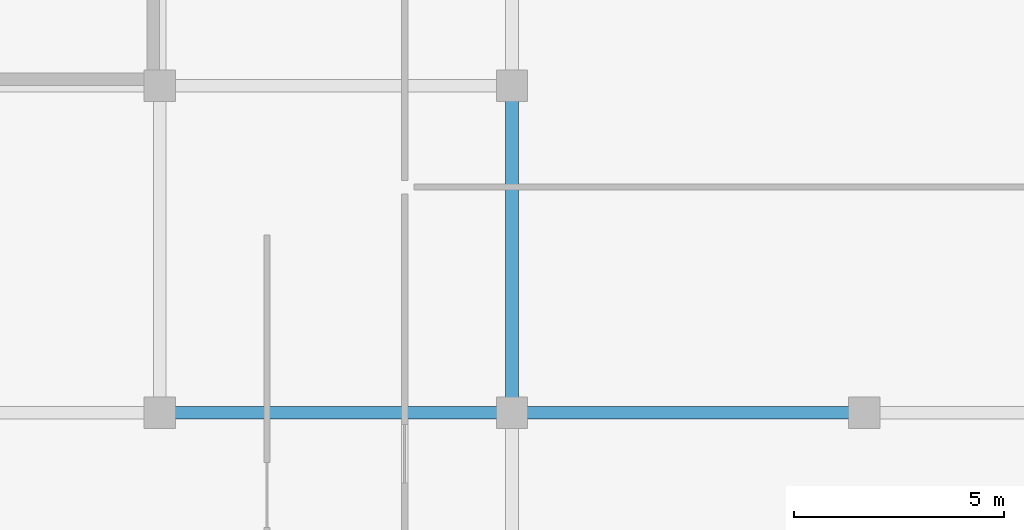
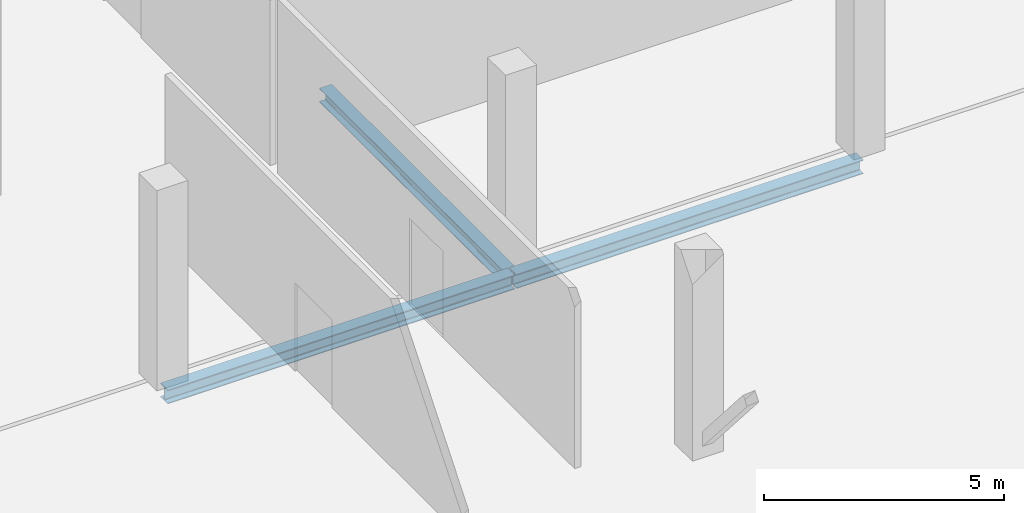
# One storey, part 28 of 80: 3 beams.
"""IFC4 building model written with IfcOpenShell, lengths in metres."""

import ifcopenshell
import ifcopenshell.guid

model = None  # the IFC model being written
_history = None  # IfcOwnerHistory: only IFC2X3 demands one
_inside = {}  # id of a spatial element -> (the spatial element, [elements in it])
_under = {}  # id of a project, library or spatial element -> (it, [spatial elements below it])
_declared = {}  # id of a project -> (the project, [libraries it declares])
_typed = {}  # id of a type object -> (the type object, [elements of that type])
_made_of = {}  # id of a material, layer set ... -> (it, [elements and type objects made of it])


def new_model(schema):
    """Start an empty IFC model of exactly this schema.

    Asked for "IFC4X3", IfcOpenShell would pick the latest addendum, in which some entities
    have other attributes; the version numbers below select the first issue.
    IFC2X3 requires an IfcOwnerHistory on every rooted entity: one is made here for all.
    """
    global model, _history
    if schema == "IFC4X3":
        model = ifcopenshell.file(schema_version=(4, 3, 0, 0))
    else:
        model = ifcopenshell.file(schema=schema)
    _inside.clear()
    _under.clear()
    _declared.clear()
    _typed.clear()
    _made_of.clear()
    _history = None
    if model.schema == "IFC2X3":
        org = make("IfcOrganization", Name="unknown")
        user = make(
            "IfcPersonAndOrganization",
            ThePerson=make("IfcPerson", FamilyName="unknown"),
            TheOrganization=org,
        )
        app = make(
            "IfcApplication",
            ApplicationDeveloper=org,
            Version="unknown",
            ApplicationFullName="unknown",
            ApplicationIdentifier="unknown",
        )
        _history = make(
            "IfcOwnerHistory",
            OwningUser=user,
            OwningApplication=app,
            ChangeAction="ADDED",
            CreationDate=0,
        )
    return model


def make(cls, **values):
    """One entity of the class cls with the attributes given. An attribute that is None is left unset."""
    return model.create_entity(
        cls, **{name: value for name, value in values.items() if value is not None}
    )


def rooted(cls, **values):
    """An entity with a GlobalId (a new one), such as an element, a storey or a relation."""
    return make(cls, GlobalId=ifcopenshell.guid.new(), OwnerHistory=_history, **values)


def si_unit(unit_type, name, prefix=None):
    """IfcSIUnit, for example si_unit("LENGTHUNIT", "METRE", prefix="MILLI")."""
    return make("IfcSIUnit", UnitType=unit_type, Prefix=prefix, Name=name)


def assignment(units):
    """IfcUnitAssignment: the units of a project."""
    return None if units is None else make("IfcUnitAssignment", Units=units)


def point(xyz):
    """IfcCartesianPoint."""
    return None if xyz is None else make("IfcCartesianPoint", Coordinates=xyz)


def direction(xyz):
    """IfcDirection."""
    return None if xyz is None else make("IfcDirection", DirectionRatios=xyz)


def frame(location, z_axis=None, x_axis=None):
    """IfcAxis2Placement3D, a coordinate frame: its origin and axes. An axis left out is left unset."""
    return make(
        "IfcAxis2Placement3D",
        Location=point(location),
        Axis=direction(z_axis),
        RefDirection=direction(x_axis),
    )


def frame_2d(location, x_axis=None):
    """IfcAxis2Placement2D, a coordinate frame in the plane: its origin and x axis."""
    return make(
        "IfcAxis2Placement2D", Location=point(location), RefDirection=direction(x_axis)
    )


def origin():
    """The frame at (0, 0, 0) with its axes left unset."""
    return frame((0.0, 0.0, 0.0))


def origin_2d():
    """The frame at (0, 0) in the plane with its x axis left unset."""
    return frame_2d((0.0, 0.0))


def place(relative_to, where):
    """IfcLocalPlacement: puts the frame where relative to a parent placement (None: the world)."""
    return make(
        "IfcLocalPlacement", PlacementRelTo=relative_to, RelativePlacement=where
    )


def context(
    kind, dimensions, precision=None, world=None, true_north=None, identifier=None
):
    """IfcGeometricRepresentationContext, for example the 3D "Model" context."""
    return make(
        "IfcGeometricRepresentationContext",
        ContextIdentifier=identifier,
        ContextType=kind,
        CoordinateSpaceDimension=dimensions,
        Precision=precision,
        WorldCoordinateSystem=world,
        TrueNorth=true_north,
    )


def subcontext(parent, identifier, kind, view, scale=None):
    """IfcGeometricRepresentationSubContext, for example "Body" below "Model"."""
    return make(
        "IfcGeometricRepresentationSubContext",
        ContextIdentifier=identifier,
        ContextType=kind,
        ParentContext=parent,
        TargetScale=scale,
        TargetView=view,
    )


def project(units=None, contexts=None):
    """IfcProject with its units and contexts."""
    return rooted(
        "IfcProject",
        Name="project",
        RepresentationContexts=contexts,
        UnitsInContext=assignment(units),
    )


def spatial(cls, under=None, at=None, **own):
    """A site, building, storey or space (cls), placed at a placement, below another one or the project."""
    s = rooted(cls, ObjectPlacement=at, **own)
    if under is not None:
        _under.setdefault(under.id(), (under, []))[1].append(s)
    return s


def profile(cls, at=None, kind="AREA", **sizes):
    """A parametric profile (cls). Its sizes go by their IFC names, for example OverallWidth=200.0."""
    return make(cls, ProfileType=kind, Position=at, **sizes)


def i_section(**sizes):
    """IfcIShapeProfileDef."""
    return profile("IfcIShapeProfileDef", **sizes)


def extrude(swept, where, along, depth):
    """IfcExtrudedAreaSolid: the profile swept, set in the frame where, extruded along a direction by depth."""
    return make(
        "IfcExtrudedAreaSolid",
        SweptArea=swept,
        Position=where,
        ExtrudedDirection=direction(along),
        Depth=depth,
    )


def shape(context_of_items, identifier, shape_type, items):
    """IfcShapeRepresentation: the items that make up one representation, for example the "Body"."""
    return make(
        "IfcShapeRepresentation",
        ContextOfItems=context_of_items,
        RepresentationIdentifier=identifier,
        RepresentationType=shape_type,
        Items=items,
    )


def material(Name=None, Category=None):
    """IfcMaterial."""
    return make("IfcMaterial", Name=Name, Category=Category)


def material_profile(
    of_material, cross_section, Name=None, Category=None, Priority=None
):
    """IfcMaterialProfile: a cross section and its material."""
    return make(
        "IfcMaterialProfile",
        Name=Name,
        Material=of_material,
        Profile=cross_section,
        Priority=Priority,
        Category=Category,
    )


def profile_set(profiles, Name=None, composite=None):
    """IfcMaterialProfileSet."""
    return make(
        "IfcMaterialProfileSet",
        Name=Name,
        MaterialProfiles=profiles,
        CompositeProfile=composite,
    )


def made_of(thing, what):
    """Note that an element or type object is made of a material, layer set ...; save() writes the relation."""
    if what is not None:
        _made_of.setdefault(what.id(), (what, []))[1].append(thing)
    return thing


def type_object(cls, material=None, **own):
    """A type object (cls), such as IfcWallType, which elements share."""
    return made_of(rooted(cls, **own), material)


def element(
    cls,
    number,
    at=None,
    inside=None,
    cuts=None,
    type_object=None,
    material=None,
    context=None,
    identifier="Body",
    shape_type=None,
    held_by="IfcProductDefinitionShape",
    body=None,
    shapes=None,
    **own,
):
    """One element of the class cls, such as IfcWall. Its Tag is "e" and its number.

    at: its placement. inside: the storey or other place that contains it. cuts: it is an
    opening in that element (IfcRelVoidsElement). A single representation is given by context,
    identifier, shape_type and body (its items); several are given by shapes. held_by: the class
    of the entity that holds the representations. save() writes the other relations.
    """
    e = rooted(cls, Tag="e%d" % number, ObjectPlacement=at, **own)
    if body is not None:
        shapes = [shape(context, identifier, shape_type, body)]
    if shapes is not None:
        e.Representation = make(held_by, Representations=shapes)
    if inside is not None:
        _inside.setdefault(inside.id(), (inside, []))[1].append(e)
    if cuts is not None:
        rooted(
            "IfcRelVoidsElement", RelatingBuildingElement=cuts, RelatedOpeningElement=e
        )
    if type_object is not None:
        _typed.setdefault(type_object.id(), (type_object, []))[1].append(e)
    return made_of(e, material)


def aggregate(whole, parts):
    """IfcRelAggregates: a whole, such as a stair, and the parts it consists of."""
    return rooted("IfcRelAggregates", RelatingObject=whole, RelatedObjects=parts)


def save(model, path):
    """Write the relations noted so far, then the file.

    IfcRelAggregates (storeys below a building ...), IfcRelContainedInSpatialStructure (elements
    in a storey), IfcRelDefinesByType, IfcRelAssociatesMaterial and IfcRelDeclares: one each for
    every whole, place, type object, material and project.
    """
    for whole, parts in _under.values():
        aggregate(whole, parts)
    for where, things in _inside.values():
        rooted(
            "IfcRelContainedInSpatialStructure",
            RelatedElements=things,
            RelatingStructure=where,
        )
    for kind, things in _typed.values():
        rooted("IfcRelDefinesByType", RelatedObjects=things, RelatingType=kind)
    for what, things in _made_of.values():
        rooted("IfcRelAssociatesMaterial", RelatedObjects=things, RelatingMaterial=what)
    for by, libraries in _declared.values():
        rooted("IfcRelDeclares", RelatingContext=by, RelatedDefinitions=libraries)
    model.write(path)


model = new_model("IFC4")

# Units and contexts
model_context = context("Model", 3, precision=1e-05, world=origin(), true_north=direction((0.0, 1.0)))
body_context = subcontext(model_context, "Body", "Model", "MODEL_VIEW")
ifc_project = project(units=[si_unit("LENGTHUNIT", "METRE"), si_unit("AREAUNIT", "SQUARE_METRE"), si_unit("VOLUMEUNIT", "CUBIC_METRE"), si_unit("PLANEANGLEUNIT", "RADIAN"), si_unit("MASSUNIT", "GRAM", prefix="KILO")], contexts=[model_context])

# Site, building, storey
site_placement = place(None, origin())
site = spatial("IfcSite", under=ifc_project, at=site_placement, CompositionType="ELEMENT")
building_placement = place(site_placement, origin())
building = spatial("IfcBuilding", under=site, at=building_placement, Name="Nabrawat Pavilion Hospital", CompositionType="ELEMENT")
storey_placement = place(building_placement, origin())
storey = spatial("IfcBuildingStorey", under=building, at=storey_placement, Name="L00", CompositionType="ELEMENT", Elevation=0.0)

# Beams
ifc_material = material(Name="Steel S355", Category="steel")
ifc_material_profile_1 = material_profile(ifc_material, i_section(OverallWidth=0.300048828125, OverallDepth=0.360107421875, WebThickness=0.012451171875, FlangeThickness=0.0224609375, FilletRadius=0.027099609375, at=origin_2d()), Name="HEB 360")
ifc_profile_set_1 = profile_set([ifc_material_profile_1], Name="Steel S355")
beam_type_1 = type_object("IfcBeamType", Name="Surgical Perimeter Spandrel HEB 360", PredefinedType="SPANDREL", material=ifc_profile_set_1)
beam_1_placement = place(storey_placement, frame((25.219970703125, 85.800048828125, -0.429931640625), z_axis=(1.0, 0.0, 0.0), x_axis=(0.0, 1.0, 0.0)))
element("IfcBeam", 1, at=beam_1_placement, inside=storey, type_object=beam_type_1, Name="L00 Primary X Girder 144", PredefinedType="SPANDREL", context=body_context, shape_type="SweptSolid", body=[
    extrude(i_section(OverallWidth=0.300048828125, OverallDepth=0.360107421875, WebThickness=0.012451171875, FlangeThickness=0.0224609375, FilletRadius=0.027099609375, at=origin_2d()), origin(), (0.0, 0.0, 1.0), 8.360107421875),
])
beam_2_placement = place(storey_placement, frame((33.6201171875, 85.800048828125, -0.429931640625), z_axis=(1.0, 0.0, 0.0), x_axis=(0.0, 1.0, 0.0)))
element("IfcBeam", 2, at=beam_2_placement, inside=storey, type_object=beam_type_1, Name="L00 Primary X Girder 145", PredefinedType="SPANDREL", context=body_context, shape_type="SweptSolid", body=[
    extrude(i_section(OverallWidth=0.300048828125, OverallDepth=0.360107421875, WebThickness=0.012451171875, FlangeThickness=0.0224609375, FilletRadius=0.027099609375, at=origin_2d()), origin(), (0.0, 0.0, 1.0), 8.35986328125),
])
ifc_material_profile_2 = material_profile(ifc_material, i_section(OverallWidth=0.300048828125, OverallDepth=0.35009765625, WebThickness=0.009521484375, FlangeThickness=0.017578125, FilletRadius=0.027099609375, at=origin_2d()), Name="HEA 360")
ifc_profile_set_2 = profile_set([ifc_material_profile_2], Name="Steel S355")
beam_type_2 = type_object("IfcBeamType", Name="Surgical Stiffened Beam HEA 360", PredefinedType="BEAM", material=ifc_profile_set_2)
beam_3_placement = place(storey_placement, frame((33.60009765625, 85.820068359375, -0.425048828125), z_axis=(0.0, 1.0, 0.0), x_axis=(-1.0, 0.0, 0.0)))
element("IfcBeam", 3, at=beam_3_placement, inside=storey, type_object=beam_type_2, Name="L00 Primary Y Beam 283", PredefinedType="BEAM", context=body_context, shape_type="SweptSolid", body=[
    extrude(i_section(OverallWidth=0.300048828125, OverallDepth=0.35009765625, WebThickness=0.009521484375, FlangeThickness=0.017578125, FilletRadius=0.027099609375, at=origin_2d()), origin(), (0.0, 0.0, 1.0), 7.760009765625),
])

save(model, "model.ifc")
